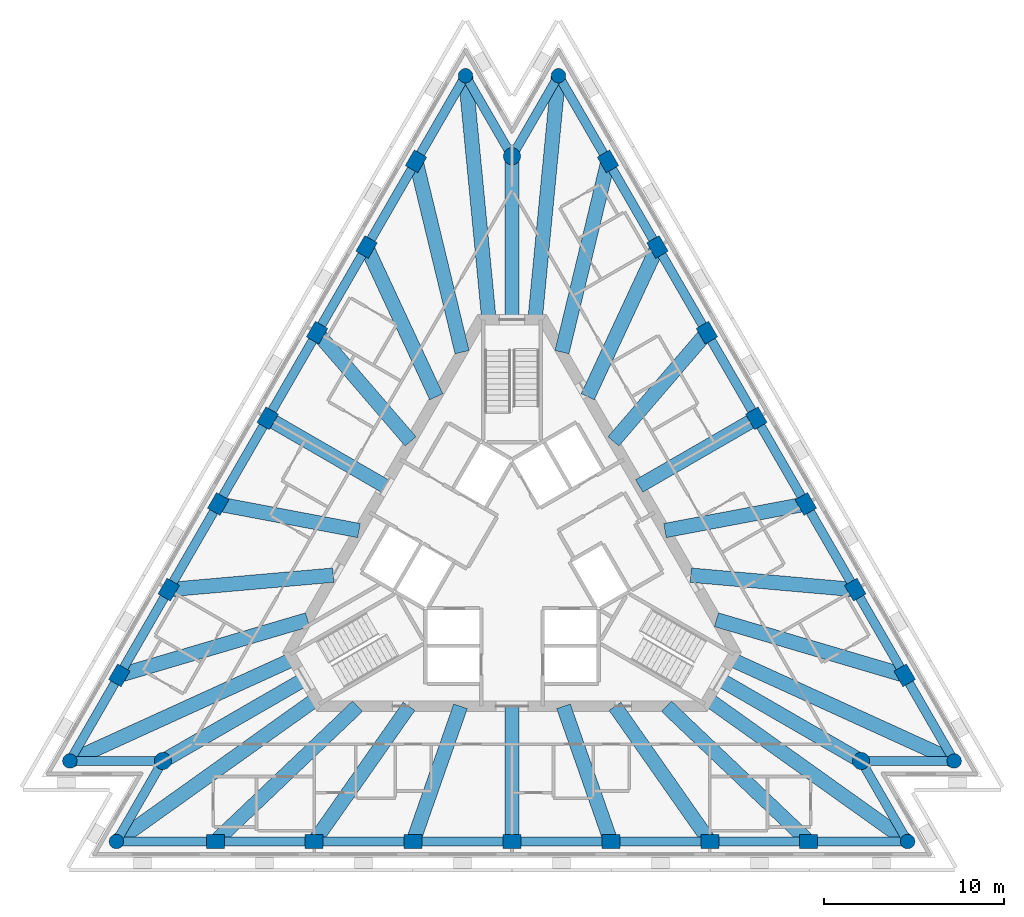
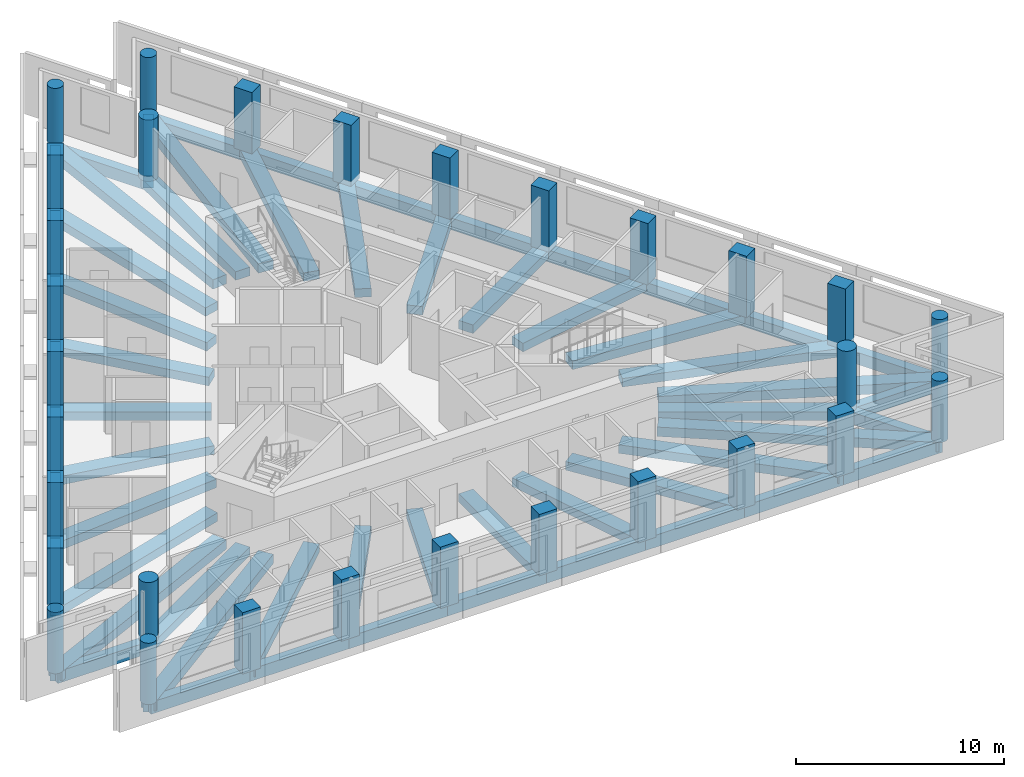
# One storey, part 1 of 9: 60 beams, 30 columns.
"""IFC4 building model written with IfcOpenShell, lengths in metres."""

from ifc_helpers import new_model, si_unit, direction, frame, origin, origin_2d, place, context, subcontext, project, spatial, rectangle, circle, extrude, material, material_profile, profile_set, type_object, element, save


model = new_model("IFC4")

# Units and contexts
model_context = context("Model", 3, precision=1e-05, world=origin(), true_north=direction((0.0, 1.0)))
body_context = subcontext(model_context, "Body", "Model", "MODEL_VIEW")
ifc_project = project(units=[si_unit("LENGTHUNIT", "METRE"), si_unit("AREAUNIT", "SQUARE_METRE"), si_unit("VOLUMEUNIT", "CUBIC_METRE"), si_unit("PLANEANGLEUNIT", "RADIAN"), si_unit("MASSUNIT", "GRAM", prefix="KILO")], contexts=[model_context])

# Site, building, storey
site_placement = place(None, origin())
site = spatial("IfcSite", under=ifc_project, at=site_placement, CompositionType="ELEMENT")
building_placement = place(site_placement, origin())
building = spatial("IfcBuilding", under=site, at=building_placement, Name="Triada Interchange Tower", CompositionType="ELEMENT")
storey_placement = place(building_placement, frame((0.0, 0.0, 286.300048828125)))
storey = spatial("IfcBuildingStorey", under=building, at=storey_placement, Name="L67", CompositionType="ELEMENT", Elevation=286.300048828125)

# Columns
ifc_material_1 = material(Name="Concrete C40/50", Category="concrete")
ifc_material_profile_1 = material_profile(ifc_material_1, rectangle(XDim=1.0, YDim=0.800048828125, at=origin_2d()), Name="RC 1000x800")
ifc_profile_set_1 = profile_set([ifc_material_profile_1], Name="Concrete C40/50")
column_type_1 = type_object("IfcColumnType", Name="Column D face RC 1000x800", PredefinedType="COLUMN", material=ifc_profile_set_1)
for number, where, z_axis, x_axis, name in (
    (1, (-5.324951171875, 22.0849609375, -0.300048828125), (0.0, 0.0, 1.0), (0.5, 0.866025403784, 0.0), "Column CD02 L67"),
    (2, (-8.069091796875, 17.3330078125, -0.300048828125), (0.0, 0.0, 1.0), (0.5, 0.866025403784, 0.0), "Column CD03 L67"),
    (3, (-10.81298828125, 12.580078125, -0.300048828125), (0.0, 0.0, 1.0), (0.5, 0.866025403784, 0.0), "Column CD04 L67"),
    (4, (-13.556884765625, 7.826904296875, -0.300048828125), (0.0, 0.0, 1.0), (0.5, 0.866025403784, 0.0), "Column CD05 L67"),
    (5, (-16.301025390625, 3.073974609375, -0.300048828125), (0.0, 0.0, 1.0), (0.5, 0.866025403784, 0.0), "Column CD06 L67"),
    (6, (-19.044921875, -1.677978515625, -0.300048828125), (0.0, 0.0, 1.0), (0.5, 0.866025403784, 0.0), "Column CD07 L67"),
    (7, (-21.7890625, -6.430908203125, -0.300048828125), (0.0, 0.0, 1.0), (0.5, 0.866025403784, 0.0), "Column CD08 L67"),
    (8, (-16.464111328125, -15.654052734375, -0.300048828125), (0.0, 0.0, 1.0), (1.0, 0.0, 0.0), "Column CD11 L67"),
    (9, (-10.97607421875, -15.654052734375, -0.300048828125), (0.0, 0.0, 1.0), (1.0, 0.0, 0.0), "Column CD12 L67"),
    (10, (-5.488037109375, -15.654052734375, -0.300048828125), (0.0, 0.0, 1.0), (1.0, 0.0, 0.0), "Column CD13 L67"),
    (11, (0.0, -15.654052734375, -0.300048828125), (0.0, 0.0, 1.0), (1.0, 0.0, 0.0), "Column CD14 L67"),
    (12, (5.488037109375, -15.654052734375, -0.300048828125), (0.0, 0.0, 1.0), (1.0, 0.0, 0.0), "Column CD15 L67"),
    (13, (10.97607421875, -15.654052734375, -0.300048828125), (0.0, 0.0, 1.0), (1.0, 0.0, 0.0), "Column CD16 L67"),
    (14, (16.464111328125, -15.654052734375, -0.300048828125), (0.0, 0.0, 1.0), (1.0, 0.0, 0.0), "Column CD17 L67"),
    (15, (21.7890625, -6.430908203125, -0.300048828125), (0.0, 0.0, 1.0), (-0.5, 0.866025403784, 0.0), "Column CD20 L67"),
    (16, (19.044921875, -1.677978515625, -0.300048828125), (0.0, 0.0, 1.0), (-0.5, 0.866025403784, 0.0), "Column CD21 L67"),
    (17, (16.301025390625, 3.073974609375, -0.300048828125), (0.0, 0.0, 1.0), (-0.5, 0.866025403784, 0.0), "Column CD22 L67"),
    (18, (13.556884765625, 7.826904296875, -0.300048828125), (0.0, 0.0, 1.0), (-0.5, 0.866025403784, 0.0), "Column CD23 L67"),
    (19, (10.81298828125, 12.580078125, -0.300048828125), (0.0, 0.0, 1.0), (-0.5, 0.866025403784, 0.0), "Column CD24 L67"),
    (20, (8.069091796875, 17.3330078125, -0.300048828125), (0.0, 0.0, 1.0), (-0.5, 0.866025403784, 0.0), "Column CD25 L67"),
    (21, (5.324951171875, 22.0849609375, -0.300048828125), (0.0, 0.0, 1.0), (-0.5, 0.866025403784, 0.0), "Column CD26 L67"),
):
    element("IfcColumn", number, at=place(storey_placement, frame(where, z_axis=z_axis, x_axis=x_axis)), inside=storey, type_object=column_type_1, Name=name, PredefinedType="COLUMN", context=body_context, shape_type="SweptSolid", body=[
        extrude(rectangle(XDim=1.0, YDim=0.800048828125, at=origin_2d()), origin(), (0.0, 0.0, 1.0), 3.60009765625),
    ])
ifc_material_profile_2 = material_profile(ifc_material_1, circle(Radius=0.39990234375, at=origin_2d()), Name="RC D800")
ifc_profile_set_2 = profile_set([ifc_material_profile_2], Name="Concrete C40/50")
column_type_2 = type_object("IfcColumnType", Name="End column D RC D800", PredefinedType="COLUMN", material=ifc_profile_set_2)
for number, where, z_axis, x_axis, name in (
    (22, (-2.5810546875, 26.837890625, -0.300048828125), (0.0, 0.0, 1.0), (0.5, 0.866025403784, 0.0), "Column CD01 L67"),
    (23, (-24.532958984375, -11.18408203125, -0.300048828125), (0.0, 0.0, 1.0), (0.5, 0.866025403784, 0.0), "Column CD09 L67"),
    (24, (-21.951904296875, -15.654052734375, -0.300048828125), (0.0, 0.0, 1.0), (1.0, 0.0, 0.0), "Column CD10 L67"),
    (25, (21.951904296875, -15.654052734375, -0.300048828125), (0.0, 0.0, 1.0), (1.0, 0.0, 0.0), "Column CD18 L67"),
    (26, (24.532958984375, -11.18408203125, -0.300048828125), (0.0, 0.0, 1.0), (-0.5, 0.866025403784, 0.0), "Column CD19 L67"),
    (27, (2.5810546875, 26.837890625, -0.300048828125), (0.0, 0.0, 1.0), (-0.5, 0.866025403784, 0.0), "Column CD27 L67"),
):
    element("IfcColumn", number, at=place(storey_placement, frame(where, z_axis=z_axis, x_axis=x_axis)), inside=storey, type_object=column_type_2, Name=name, PredefinedType="COLUMN", context=body_context, shape_type="SweptSolid", body=[
        extrude(circle(Radius=0.39990234375, at=origin_2d()), origin(), (0.0, 0.0, 1.0), 3.60009765625),
    ])
ifc_material_profile_3 = material_profile(ifc_material_1, circle(Radius=0.47509765625, at=origin_2d()), Name="RC D950")
ifc_profile_set_3 = profile_set([ifc_material_profile_3], Name="Concrete C40/50")
column_type_3 = type_object("IfcColumnType", Name="Mega column D RC D950", PredefinedType="COLUMN", material=ifc_profile_set_3)
for number, where, z_axis, x_axis, name in (
    (28, (0.0, 22.368896484375, -0.300048828125), (0.0, 0.0, 1.0), (1.0, 0.0, 0.0), "Column MD1 L67"),
    (29, (-19.3720703125, -11.18408203125, -0.300048828125), (0.0, 0.0, 1.0), (1.0, 0.0, 0.0), "Column MD2 L67"),
    (30, (19.3720703125, -11.18408203125, -0.300048828125), (0.0, 0.0, 1.0), (1.0, 0.0, 0.0), "Column MD3 L67"),
):
    element("IfcColumn", number, at=place(storey_placement, frame(where, z_axis=z_axis, x_axis=x_axis)), inside=storey, type_object=column_type_3, Name=name, PredefinedType="COLUMN", context=body_context, shape_type="SweptSolid", body=[
        extrude(circle(Radius=0.47509765625, at=origin_2d()), origin(), (0.0, 0.0, 1.0), 3.60009765625),
    ])

# Beams
ifc_material_2 = material(Name="Concrete C50/60", Category="concrete")
ifc_material_profile_4 = material_profile(ifc_material_2, rectangle(XDim=0.800048828125, YDim=0.5, at=origin_2d()), Name="RC 800x500")
ifc_profile_set_4 = profile_set([ifc_material_profile_4], Name="Concrete C50/60")
beam_type_1 = type_object("IfcBeamType", Name="Radial band beam D RC 800x500", PredefinedType="BEAM", material=ifc_profile_set_4)
beam_1_placement = place(storey_placement, frame((-5.324951171875, 22.0849609375, -0.550048828125), z_axis=(0.234425037452, -0.972134199489, 0.0), x_axis=(0.972134199489, 0.234425037452, 0.0)))
element("IfcBeam", 31, at=beam_1_placement, inside=storey, type_object=beam_type_1, Name="Radial band beam BD02 L67", PredefinedType="BEAM", context=body_context, shape_type="SweptSolid", body=[
    extrude(rectangle(XDim=0.800048828125, YDim=0.5, at=origin_2d()), origin(), (0.0, 0.0, 1.0), 10.890380859375),
])
beam_2_placement = place(storey_placement, frame((-8.069091796875, 17.3330078125, -0.550048828125), z_axis=(0.42204241395, -0.906576086618, 0.0), x_axis=(0.906576086618, 0.42204241395, 0.0)))
element("IfcBeam", 32, at=beam_2_placement, inside=storey, type_object=beam_type_1, Name="Radial band beam BD03 L67", PredefinedType="BEAM", context=body_context, shape_type="SweptSolid", body=[
    extrude(rectangle(XDim=0.800048828125, YDim=0.5, at=origin_2d()), origin(), (0.0, 0.0, 1.0), 9.165283203125),
])
beam_3_placement = place(storey_placement, frame((-10.81298828125, 12.580078125, -0.550048828125), z_axis=(0.651852544973, -0.758345738837, 0.0), x_axis=(0.758345738837, 0.651852544973, 0.0)))
element("IfcBeam", 33, at=beam_3_placement, inside=storey, type_object=beam_type_1, Name="Radial band beam BD04 L67", PredefinedType="BEAM", context=body_context, shape_type="SweptSolid", body=[
    extrude(rectangle(XDim=0.800048828125, YDim=0.5, at=origin_2d()), origin(), (0.0, 0.0, 1.0), 7.952880859375),
])
beam_4_placement = place(storey_placement, frame((-13.556884765625, 7.826904296875, -0.550048828125), z_axis=(0.86603226186, -0.499988121277, 0.0), x_axis=(0.499988121277, 0.86603226186, 0.0)))
element("IfcBeam", 34, at=beam_4_placement, inside=storey, type_object=beam_type_1, Name="Radial band beam BD05 L67", PredefinedType="BEAM", context=body_context, shape_type="SweptSolid", body=[
    extrude(rectangle(XDim=0.800048828125, YDim=0.5, at=origin_2d()), origin(), (0.0, 0.0, 1.0), 7.504150390625),
])
beam_5_placement = place(storey_placement, frame((-16.301025390625, 3.073974609375, -0.550048828125), z_axis=(0.982672101043, -0.185352479972, 0.0), x_axis=(0.185352479972, 0.982672101043, 0.0)))
element("IfcBeam", 35, at=beam_5_placement, inside=storey, type_object=beam_type_1, Name="Radial band beam BD06 L67", PredefinedType="BEAM", context=body_context, shape_type="SweptSolid", body=[
    extrude(rectangle(XDim=0.800048828125, YDim=0.5, at=origin_2d()), origin(), (0.0, 0.0, 1.0), 7.95166015625),
])
beam_6_placement = place(storey_placement, frame((-19.044921875, -1.677978515625, -0.550048828125), z_axis=(0.996145337016, 0.087718114098, 0.0), x_axis=(-0.087718114098, 0.996145337016, 0.0)))
element("IfcBeam", 36, at=beam_6_placement, inside=storey, type_object=beam_type_1, Name="Radial band beam BD07 L67", PredefinedType="BEAM", context=body_context, shape_type="SweptSolid", body=[
    extrude(rectangle(XDim=0.800048828125, YDim=0.5, at=origin_2d()), origin(), (0.0, 0.0, 1.0), 9.165283203125),
])
beam_7_placement = place(storey_placement, frame((-21.7890625, -6.430908203125, -0.550048828125), z_axis=(0.959093403857, 0.283089813802, 0.0), x_axis=(-0.283089813802, 0.959093403857, 0.0)))
element("IfcBeam", 37, at=beam_7_placement, inside=storey, type_object=beam_type_1, Name="Radial band beam BD08 L67", PredefinedType="BEAM", context=body_context, shape_type="SweptSolid", body=[
    extrude(rectangle(XDim=0.800048828125, YDim=0.5, at=origin_2d()), origin(), (0.0, 0.0, 1.0), 10.890625),
])
beam_8_placement = place(storey_placement, frame((-19.3720703125, -11.18408203125, -0.550048828125), z_axis=(0.866041235469, 0.499972577716, 0.0), x_axis=(-0.499972577716, 0.866041235469, 0.0)))
element("IfcBeam", 38, at=beam_8_placement, inside=storey, type_object=beam_type_1, Name="Radial band beam BD10 L67", PredefinedType="BEAM", context=body_context, shape_type="SweptSolid", body=[
    extrude(rectangle(XDim=0.800048828125, YDim=0.5, at=origin_2d()), origin(), (0.0, 0.0, 1.0), 9.06884765625),
])
beam_9_placement = place(storey_placement, frame((-16.464111328125, -15.654052734375, -0.550048828125), z_axis=(0.724693754634, 0.689071086314, 0.0), x_axis=(-0.689071086314, 0.724693754634, 0.0)))
element("IfcBeam", 39, at=beam_9_placement, inside=storey, type_object=beam_type_1, Name="Radial band beam BD12 L67", PredefinedType="BEAM", context=body_context, shape_type="SweptSolid", body=[
    extrude(rectangle(XDim=0.800048828125, YDim=0.5, at=origin_2d()), origin(), (0.0, 0.0, 1.0), 10.89013671875),
])
beam_10_placement = place(storey_placement, frame((-10.97607421875, -15.654052734375, -0.550048828125), z_axis=(0.574125420819, 0.818767366942, 0.0), x_axis=(-0.818767366942, 0.574125420819, 0.0)))
element("IfcBeam", 40, at=beam_10_placement, inside=storey, type_object=beam_type_1, Name="Radial band beam BD13 L67", PredefinedType="BEAM", context=body_context, shape_type="SweptSolid", body=[
    extrude(rectangle(XDim=0.800048828125, YDim=0.5, at=origin_2d()), origin(), (0.0, 0.0, 1.0), 9.165283203125),
])
beam_11_placement = place(storey_placement, frame((-5.488037109375, -15.654052734375, -0.550048828125), z_axis=(0.330871413108, 0.943675849001, 0.0), x_axis=(-0.943675849001, 0.330871413108, 0.0)))
element("IfcBeam", 41, at=beam_11_placement, inside=storey, type_object=beam_type_1, Name="Radial band beam BD14 L67", PredefinedType="BEAM", context=body_context, shape_type="SweptSolid", body=[
    extrude(rectangle(XDim=0.800048828125, YDim=0.5, at=origin_2d()), origin(), (0.0, 0.0, 1.0), 7.9521484375),
])
beam_12_placement = place(storey_placement, frame((0.0, -15.654052734375, -0.550048828125), z_axis=(0.0, 1.0, 0.0), x_axis=(-1.0, 0.0, 0.0)))
element("IfcBeam", 42, at=beam_12_placement, inside=storey, type_object=beam_type_1, Name="Radial band beam BD15 L67", PredefinedType="BEAM", context=body_context, shape_type="SweptSolid", body=[
    extrude(rectangle(XDim=0.800048828125, YDim=0.5, at=origin_2d()), origin(), (0.0, 0.0, 1.0), 7.504150390625),
])
beam_13_placement = place(storey_placement, frame((5.488037109375, -15.654052734375, -0.550048828125), z_axis=(-0.330871413108, 0.943675849001, 0.0), x_axis=(-0.943675849001, -0.330871413108, 0.0)))
element("IfcBeam", 43, at=beam_13_placement, inside=storey, type_object=beam_type_1, Name="Radial band beam BD16 L67", PredefinedType="BEAM", context=body_context, shape_type="SweptSolid", body=[
    extrude(rectangle(XDim=0.800048828125, YDim=0.5, at=origin_2d()), origin(), (0.0, 0.0, 1.0), 7.9521484375),
])
beam_14_placement = place(storey_placement, frame((10.97607421875, -15.654052734375, -0.550048828125), z_axis=(-0.574125420819, 0.818767366942, 0.0), x_axis=(-0.818767366942, -0.574125420819, 0.0)))
element("IfcBeam", 44, at=beam_14_placement, inside=storey, type_object=beam_type_1, Name="Radial band beam BD17 L67", PredefinedType="BEAM", context=body_context, shape_type="SweptSolid", body=[
    extrude(rectangle(XDim=0.800048828125, YDim=0.5, at=origin_2d()), origin(), (0.0, 0.0, 1.0), 9.165283203125),
])
beam_15_placement = place(storey_placement, frame((16.464111328125, -15.654052734375, -0.550048828125), z_axis=(-0.724693754634, 0.689071086314, 0.0), x_axis=(-0.689071086314, -0.724693754634, 0.0)))
element("IfcBeam", 45, at=beam_15_placement, inside=storey, type_object=beam_type_1, Name="Radial band beam BD18 L67", PredefinedType="BEAM", context=body_context, shape_type="SweptSolid", body=[
    extrude(rectangle(XDim=0.800048828125, YDim=0.5, at=origin_2d()), origin(), (0.0, 0.0, 1.0), 10.89013671875),
])
beam_16_placement = place(storey_placement, frame((19.3720703125, -11.18408203125, -0.550048828125), z_axis=(-0.866041235469, 0.499972577716, 0.0), x_axis=(-0.499972577716, -0.866041235469, 0.0)))
element("IfcBeam", 46, at=beam_16_placement, inside=storey, type_object=beam_type_1, Name="Radial band beam BD20 L67", PredefinedType="BEAM", context=body_context, shape_type="SweptSolid", body=[
    extrude(rectangle(XDim=0.800048828125, YDim=0.5, at=origin_2d()), origin(), (0.0, 0.0, 1.0), 9.06884765625),
])
beam_17_placement = place(storey_placement, frame((21.7890625, -6.430908203125, -0.550048828125), z_axis=(-0.959093403857, 0.283089813802, 0.0), x_axis=(-0.283089813802, -0.959093403857, 0.0)))
element("IfcBeam", 47, at=beam_17_placement, inside=storey, type_object=beam_type_1, Name="Radial band beam BD22 L67", PredefinedType="BEAM", context=body_context, shape_type="SweptSolid", body=[
    extrude(rectangle(XDim=0.800048828125, YDim=0.5, at=origin_2d()), origin(), (0.0, 0.0, 1.0), 10.890625),
])
beam_18_placement = place(storey_placement, frame((19.044921875, -1.677978515625, -0.550048828125), z_axis=(-0.996145337016, 0.087718114098, 0.0), x_axis=(-0.087718114098, -0.996145337016, 0.0)))
element("IfcBeam", 48, at=beam_18_placement, inside=storey, type_object=beam_type_1, Name="Radial band beam BD23 L67", PredefinedType="BEAM", context=body_context, shape_type="SweptSolid", body=[
    extrude(rectangle(XDim=0.800048828125, YDim=0.5, at=origin_2d()), origin(), (0.0, 0.0, 1.0), 9.165283203125),
])
beam_19_placement = place(storey_placement, frame((16.301025390625, 3.073974609375, -0.550048828125), z_axis=(-0.982672101043, -0.185352479972, 0.0), x_axis=(0.185352479972, -0.982672101043, 0.0)))
element("IfcBeam", 49, at=beam_19_placement, inside=storey, type_object=beam_type_1, Name="Radial band beam BD24 L67", PredefinedType="BEAM", context=body_context, shape_type="SweptSolid", body=[
    extrude(rectangle(XDim=0.800048828125, YDim=0.5, at=origin_2d()), origin(), (0.0, 0.0, 1.0), 7.95166015625),
])
beam_20_placement = place(storey_placement, frame((13.556884765625, 7.826904296875, -0.550048828125), z_axis=(-0.86603226186, -0.499988121277, 0.0), x_axis=(0.499988121277, -0.86603226186, 0.0)))
element("IfcBeam", 50, at=beam_20_placement, inside=storey, type_object=beam_type_1, Name="Radial band beam BD25 L67", PredefinedType="BEAM", context=body_context, shape_type="SweptSolid", body=[
    extrude(rectangle(XDim=0.800048828125, YDim=0.5, at=origin_2d()), origin(), (0.0, 0.0, 1.0), 7.504150390625),
])
beam_21_placement = place(storey_placement, frame((10.81298828125, 12.580078125, -0.550048828125), z_axis=(-0.651852544973, -0.758345738837, 0.0), x_axis=(0.758345738837, -0.651852544973, 0.0)))
element("IfcBeam", 51, at=beam_21_placement, inside=storey, type_object=beam_type_1, Name="Radial band beam BD26 L67", PredefinedType="BEAM", context=body_context, shape_type="SweptSolid", body=[
    extrude(rectangle(XDim=0.800048828125, YDim=0.5, at=origin_2d()), origin(), (0.0, 0.0, 1.0), 7.952880859375),
])
beam_22_placement = place(storey_placement, frame((8.069091796875, 17.3330078125, -0.550048828125), z_axis=(-0.42204241395, -0.906576086618, 0.0), x_axis=(0.906576086618, -0.42204241395, 0.0)))
element("IfcBeam", 52, at=beam_22_placement, inside=storey, type_object=beam_type_1, Name="Radial band beam BD27 L67", PredefinedType="BEAM", context=body_context, shape_type="SweptSolid", body=[
    extrude(rectangle(XDim=0.800048828125, YDim=0.5, at=origin_2d()), origin(), (0.0, 0.0, 1.0), 9.165283203125),
])
beam_23_placement = place(storey_placement, frame((5.324951171875, 22.0849609375, -0.550048828125), z_axis=(-0.234425037452, -0.972134199489, 0.0), x_axis=(0.972134199489, -0.234425037452, 0.0)))
element("IfcBeam", 53, at=beam_23_placement, inside=storey, type_object=beam_type_1, Name="Radial band beam BD28 L67", PredefinedType="BEAM", context=body_context, shape_type="SweptSolid", body=[
    extrude(rectangle(XDim=0.800048828125, YDim=0.5, at=origin_2d()), origin(), (0.0, 0.0, 1.0), 10.890380859375),
])
beam_24_placement = place(storey_placement, frame((0.0, 22.368896484375, -0.550048828125), z_axis=(0.0, -1.0, 0.0), x_axis=(1.0, 0.0, 0.0)))
element("IfcBeam", 54, at=beam_24_placement, inside=storey, type_object=beam_type_1, Name="Radial band beam BD30 L67", PredefinedType="BEAM", context=body_context, shape_type="SweptSolid", body=[
    extrude(rectangle(XDim=0.800048828125, YDim=0.5, at=origin_2d()), origin(), (0.0, 0.0, 1.0), 9.06884765625),
])
ifc_material_profile_5 = material_profile(ifc_material_2, rectangle(XDim=0.800048828125, YDim=0.550048828125, at=origin_2d()), Name="RC 800x550")
ifc_profile_set_5 = profile_set([ifc_material_profile_5], Name="Concrete C50/60")
beam_type_2 = type_object("IfcBeamType", Name="Radial band beam D RC 800x550", PredefinedType="BEAM", material=ifc_profile_set_5)
beam_25_placement = place(storey_placement, frame((-2.5810546875, 26.837890625, -0.574951171875), z_axis=(0.095733271747, -0.99540702262, 0.0), x_axis=(0.99540702262, 0.095733271747, 0.0)))
element("IfcBeam", 55, at=beam_25_placement, inside=storey, type_object=beam_type_2, Name="Radial band beam BD01 L67", PredefinedType="BEAM", context=body_context, shape_type="SweptSolid", body=[
    extrude(rectangle(XDim=0.800048828125, YDim=0.550048828125, at=origin_2d()), origin(), (0.0, 0.0, 1.0), 13.600341796875),
])
beam_26_placement = place(storey_placement, frame((-24.532958984375, -11.18408203125, -0.574951171875), z_axis=(0.909892520451, 0.414844068569, 0.0), x_axis=(-0.414844068569, 0.909892520451, 0.0)))
element("IfcBeam", 56, at=beam_26_placement, inside=storey, type_object=beam_type_2, Name="Radial band beam BD09 L67", PredefinedType="BEAM", context=body_context, shape_type="SweptSolid", body=[
    extrude(rectangle(XDim=0.800048828125, YDim=0.550048828125, at=origin_2d()), origin(), (0.0, 0.0, 1.0), 13.6005859375),
])
for number, where, z_axis, x_axis, name in (
    (57, (-21.951904296875, -15.654052734375, -0.574951171875), (0.814195346708, 0.580591024214, 0.0), (-0.580591024214, 0.814195346708, 0.0), "Radial band beam BD11 L67"),
    (58, (21.951904296875, -15.654052734375, -0.574951171875), (-0.814195346708, 0.580591024214, 0.0), (-0.580591024214, -0.814195346708, 0.0), "Radial band beam BD19 L67"),
):
    element("IfcBeam", number, at=place(storey_placement, frame(where, z_axis=z_axis, x_axis=x_axis)), inside=storey, type_object=beam_type_2, Name=name, PredefinedType="BEAM", context=body_context, shape_type="SweptSolid", body=[
        extrude(rectangle(XDim=0.800048828125, YDim=0.550048828125, at=origin_2d()), origin(), (0.0, 0.0, 1.0), 13.599853515625),
    ])
beam_27_placement = place(storey_placement, frame((24.532958984375, -11.18408203125, -0.574951171875), z_axis=(-0.909892520451, 0.414844068569, 0.0), x_axis=(-0.414844068569, -0.909892520451, 0.0)))
element("IfcBeam", 59, at=beam_27_placement, inside=storey, type_object=beam_type_2, Name="Radial band beam BD21 L67", PredefinedType="BEAM", context=body_context, shape_type="SweptSolid", body=[
    extrude(rectangle(XDim=0.800048828125, YDim=0.550048828125, at=origin_2d()), origin(), (0.0, 0.0, 1.0), 13.6005859375),
])
beam_28_placement = place(storey_placement, frame((2.5810546875, 26.837890625, -0.574951171875), z_axis=(-0.095733271747, -0.99540702262, 0.0), x_axis=(0.99540702262, -0.095733271747, 0.0)))
element("IfcBeam", 60, at=beam_28_placement, inside=storey, type_object=beam_type_2, Name="Radial band beam BD29 L67", PredefinedType="BEAM", context=body_context, shape_type="SweptSolid", body=[
    extrude(rectangle(XDim=0.800048828125, YDim=0.550048828125, at=origin_2d()), origin(), (0.0, 0.0, 1.0), 13.600341796875),
])
ifc_material_profile_6 = material_profile(ifc_material_2, rectangle(XDim=0.5, YDim=0.699951171875, at=origin_2d()), Name="RC 500x700")
ifc_profile_set_6 = profile_set([ifc_material_profile_6], Name="Concrete C50/60")
beam_type_3 = type_object("IfcBeamType", Name="Spandrel beam D RC 500x700", PredefinedType="BEAM", material=ifc_profile_set_6)
beam_29_placement = place(storey_placement, frame((-2.5810546875, 26.837890625, -0.650146484375), z_axis=(-0.499971472108, -0.866041873744, 0.0), x_axis=(0.866041873744, -0.499971472108, 0.0)))
element("IfcBeam", 61, at=beam_29_placement, inside=storey, type_object=beam_type_3, Name="Spandrel beam ED01 L67", PredefinedType="BEAM", context=body_context, shape_type="SweptSolid", body=[
    extrude(rectangle(XDim=0.5, YDim=0.699951171875, at=origin_2d()), origin(), (0.0, 0.0, 1.0), 5.488037109375),
])
beam_30_placement = place(storey_placement, frame((-5.324951171875, 22.0849609375, -0.650146484375), z_axis=(-0.500081895979, -0.865978115955, 0.0), x_axis=(0.865978115955, -0.500081895979, 0.0)))
element("IfcBeam", 62, at=beam_30_placement, inside=storey, type_object=beam_type_3, Name="Spandrel beam ED02 L67", PredefinedType="BEAM", context=body_context, shape_type="SweptSolid", body=[
    extrude(rectangle(XDim=0.5, YDim=0.699951171875, at=origin_2d()), origin(), (0.0, 0.0, 1.0), 5.4873046875),
])
beam_31_placement = place(storey_placement, frame((-8.069091796875, 17.3330078125, -0.650146484375), z_axis=(-0.499971472108, -0.866041873744, 0.0), x_axis=(0.866041873744, -0.499971472108, 0.0)))
element("IfcBeam", 63, at=beam_31_placement, inside=storey, type_object=beam_type_3, Name="Spandrel beam ED03 L67", PredefinedType="BEAM", context=body_context, shape_type="SweptSolid", body=[
    extrude(rectangle(XDim=0.5, YDim=0.699951171875, at=origin_2d()), origin(), (0.0, 0.0, 1.0), 5.488037109375),
])
for number, where, z_axis, x_axis, name in (
    (64, (-10.81298828125, 12.580078125, -0.650146484375), (-0.499952210714, -0.866052993184, 0.0), (0.866052993184, -0.499952210714, 0.0), "Spandrel beam ED04 L67"),
    (65, (-13.556884765625, 7.826904296875, -0.650146484375), (-0.500004836318, -0.866022611517, 0.0), (0.866022611517, -0.500004836318, 0.0), "Spandrel beam ED05 L67"),
):
    element("IfcBeam", number, at=place(storey_placement, frame(where, z_axis=z_axis, x_axis=x_axis)), inside=storey, type_object=beam_type_3, Name=name, PredefinedType="BEAM", context=body_context, shape_type="SweptSolid", body=[
        extrude(rectangle(XDim=0.5, YDim=0.699951171875, at=origin_2d()), origin(), (0.0, 0.0, 1.0), 5.48828125),
    ])
beam_32_placement = place(storey_placement, frame((-16.301025390625, 3.073974609375, -0.650146484375), z_axis=(-0.500048530056, -0.865997383131, 0.0), x_axis=(0.865997383131, -0.500048530056, 0.0)))
element("IfcBeam", 66, at=beam_32_placement, inside=storey, type_object=beam_type_3, Name="Spandrel beam ED06 L67", PredefinedType="BEAM", context=body_context, shape_type="SweptSolid", body=[
    extrude(rectangle(XDim=0.5, YDim=0.699951171875, at=origin_2d()), origin(), (0.0, 0.0, 1.0), 5.4873046875),
])
for number, where, z_axis, x_axis, name in (
    (67, (-19.044921875, -1.677978515625, -0.650146484375), (-0.500004836318, -0.866022611517, 0.0), (0.866022611517, -0.500004836318, 0.0), "Spandrel beam ED07 L67"),
    (68, (-21.7890625, -6.430908203125, -0.650146484375), (-0.499952210714, -0.866052993184, 0.0), (0.866052993184, -0.499952210714, 0.0), "Spandrel beam ED08 L67"),
):
    element("IfcBeam", number, at=place(storey_placement, frame(where, z_axis=z_axis, x_axis=x_axis)), inside=storey, type_object=beam_type_3, Name=name, PredefinedType="BEAM", context=body_context, shape_type="SweptSolid", body=[
        extrude(rectangle(XDim=0.5, YDim=0.699951171875, at=origin_2d()), origin(), (0.0, 0.0, 1.0), 5.48828125),
    ])
beam_33_placement = place(storey_placement, frame((-24.532958984375, -11.18408203125, -0.650146484375), z_axis=(1.0, 0.0, 0.0), x_axis=(0.0, 1.0, 0.0)))
element("IfcBeam", 69, at=beam_33_placement, inside=storey, type_object=beam_type_3, Name="Spandrel beam ED09 L67", PredefinedType="BEAM", context=body_context, shape_type="SweptSolid", body=[
    extrude(rectangle(XDim=0.5, YDim=0.699951171875, at=origin_2d()), origin(), (0.0, 0.0, 1.0), 5.160888671875),
])
beam_34_placement = place(storey_placement, frame((-19.3720703125, -11.18408203125, -0.650146484375), z_axis=(-0.499868508103, -0.866101307358, 0.0), x_axis=(0.866101307358, -0.499868508103, 0.0)))
element("IfcBeam", 70, at=beam_34_placement, inside=storey, type_object=beam_type_3, Name="Spandrel beam ED10 L67", PredefinedType="BEAM", context=body_context, shape_type="SweptSolid", body=[
    extrude(rectangle(XDim=0.5, YDim=0.699951171875, at=origin_2d()), origin(), (0.0, 0.0, 1.0), 5.1611328125),
])
beam_35_placement = place(storey_placement, frame((-21.951904296875, -15.654052734375, -0.650146484375), z_axis=(1.0, 0.0, 0.0), x_axis=(0.0, 1.0, 0.0)))
element("IfcBeam", 71, at=beam_35_placement, inside=storey, type_object=beam_type_3, Name="Spandrel beam ED11 L67", PredefinedType="BEAM", context=body_context, shape_type="SweptSolid", body=[
    extrude(rectangle(XDim=0.5, YDim=0.699951171875, at=origin_2d()), origin(), (0.0, 0.0, 1.0), 5.48779296875),
])
for number, where, z_axis, x_axis, name in (
    (72, (-16.464111328125, -15.654052734375, -0.650146484375), (1.0, 0.0, 0.0), (0.0, 1.0, 0.0), "Spandrel beam ED12 L67"),
    (73, (-10.97607421875, -15.654052734375, -0.650146484375), (1.0, 0.0, 0.0), (0.0, 1.0, 0.0), "Spandrel beam ED13 L67"),
    (74, (-5.488037109375, -15.654052734375, -0.650146484375), (1.0, 0.0, 0.0), (0.0, 1.0, 0.0), "Spandrel beam ED14 L67"),
    (75, (0.0, -15.654052734375, -0.650146484375), (1.0, 0.0, 0.0), (0.0, 1.0, 0.0), "Spandrel beam ED15 L67"),
    (76, (5.488037109375, -15.654052734375, -0.650146484375), (1.0, 0.0, 0.0), (0.0, 1.0, 0.0), "Spandrel beam ED16 L67"),
    (77, (10.97607421875, -15.654052734375, -0.650146484375), (1.0, 0.0, 0.0), (0.0, 1.0, 0.0), "Spandrel beam ED17 L67"),
):
    element("IfcBeam", number, at=place(storey_placement, frame(where, z_axis=z_axis, x_axis=x_axis)), inside=storey, type_object=beam_type_3, Name=name, PredefinedType="BEAM", context=body_context, shape_type="SweptSolid", body=[
        extrude(rectangle(XDim=0.5, YDim=0.699951171875, at=origin_2d()), origin(), (0.0, 0.0, 1.0), 5.488037109375),
    ])
beam_36_placement = place(storey_placement, frame((16.464111328125, -15.654052734375, -0.650146484375), z_axis=(1.0, 0.0, 0.0), x_axis=(0.0, 1.0, 0.0)))
element("IfcBeam", 78, at=beam_36_placement, inside=storey, type_object=beam_type_3, Name="Spandrel beam ED18 L67", PredefinedType="BEAM", context=body_context, shape_type="SweptSolid", body=[
    extrude(rectangle(XDim=0.5, YDim=0.699951171875, at=origin_2d()), origin(), (0.0, 0.0, 1.0), 5.48779296875),
])
beam_37_placement = place(storey_placement, frame((21.951904296875, -15.654052734375, -0.650146484375), z_axis=(-0.499868508103, 0.866101307358, 0.0), x_axis=(-0.866101307358, -0.499868508103, 0.0)))
element("IfcBeam", 79, at=beam_37_placement, inside=storey, type_object=beam_type_3, Name="Spandrel beam ED19 L67", PredefinedType="BEAM", context=body_context, shape_type="SweptSolid", body=[
    extrude(rectangle(XDim=0.5, YDim=0.699951171875, at=origin_2d()), origin(), (0.0, 0.0, 1.0), 5.1611328125),
])
beam_38_placement = place(storey_placement, frame((19.3720703125, -11.18408203125, -0.650146484375), z_axis=(1.0, 0.0, 0.0), x_axis=(0.0, 1.0, 0.0)))
element("IfcBeam", 80, at=beam_38_placement, inside=storey, type_object=beam_type_3, Name="Spandrel beam ED20 L67", PredefinedType="BEAM", context=body_context, shape_type="SweptSolid", body=[
    extrude(rectangle(XDim=0.5, YDim=0.699951171875, at=origin_2d()), origin(), (0.0, 0.0, 1.0), 5.160888671875),
])
for number, where, z_axis, x_axis, name in (
    (81, (24.532958984375, -11.18408203125, -0.650146484375), (-0.499952210714, 0.866052993184, 0.0), (-0.866052993184, -0.499952210714, 0.0), "Spandrel beam ED21 L67"),
    (82, (21.7890625, -6.430908203125, -0.650146484375), (-0.500004836318, 0.866022611517, 0.0), (-0.866022611517, -0.500004836318, 0.0), "Spandrel beam ED22 L67"),
):
    element("IfcBeam", number, at=place(storey_placement, frame(where, z_axis=z_axis, x_axis=x_axis)), inside=storey, type_object=beam_type_3, Name=name, PredefinedType="BEAM", context=body_context, shape_type="SweptSolid", body=[
        extrude(rectangle(XDim=0.5, YDim=0.699951171875, at=origin_2d()), origin(), (0.0, 0.0, 1.0), 5.48828125),
    ])
beam_39_placement = place(storey_placement, frame((19.044921875, -1.677978515625, -0.650146484375), z_axis=(-0.500048530056, 0.865997383131, 0.0), x_axis=(-0.865997383131, -0.500048530056, 0.0)))
element("IfcBeam", 83, at=beam_39_placement, inside=storey, type_object=beam_type_3, Name="Spandrel beam ED23 L67", PredefinedType="BEAM", context=body_context, shape_type="SweptSolid", body=[
    extrude(rectangle(XDim=0.5, YDim=0.699951171875, at=origin_2d()), origin(), (0.0, 0.0, 1.0), 5.4873046875),
])
for number, where, z_axis, x_axis, name in (
    (84, (16.301025390625, 3.073974609375, -0.650146484375), (-0.500004836318, 0.866022611517, 0.0), (-0.866022611517, -0.500004836318, 0.0), "Spandrel beam ED24 L67"),
    (85, (13.556884765625, 7.826904296875, -0.650146484375), (-0.499952210714, 0.866052993184, 0.0), (-0.866052993184, -0.499952210714, 0.0), "Spandrel beam ED25 L67"),
):
    element("IfcBeam", number, at=place(storey_placement, frame(where, z_axis=z_axis, x_axis=x_axis)), inside=storey, type_object=beam_type_3, Name=name, PredefinedType="BEAM", context=body_context, shape_type="SweptSolid", body=[
        extrude(rectangle(XDim=0.5, YDim=0.699951171875, at=origin_2d()), origin(), (0.0, 0.0, 1.0), 5.48828125),
    ])
beam_40_placement = place(storey_placement, frame((10.81298828125, 12.580078125, -0.650146484375), z_axis=(-0.499971472108, 0.866041873744, 0.0), x_axis=(-0.866041873744, -0.499971472108, 0.0)))
element("IfcBeam", 86, at=beam_40_placement, inside=storey, type_object=beam_type_3, Name="Spandrel beam ED26 L67", PredefinedType="BEAM", context=body_context, shape_type="SweptSolid", body=[
    extrude(rectangle(XDim=0.5, YDim=0.699951171875, at=origin_2d()), origin(), (0.0, 0.0, 1.0), 5.488037109375),
])
beam_41_placement = place(storey_placement, frame((8.069091796875, 17.3330078125, -0.650146484375), z_axis=(-0.500081895979, 0.865978115955, 0.0), x_axis=(-0.865978115955, -0.500081895979, 0.0)))
element("IfcBeam", 87, at=beam_41_placement, inside=storey, type_object=beam_type_3, Name="Spandrel beam ED27 L67", PredefinedType="BEAM", context=body_context, shape_type="SweptSolid", body=[
    extrude(rectangle(XDim=0.5, YDim=0.699951171875, at=origin_2d()), origin(), (0.0, 0.0, 1.0), 5.4873046875),
])
beam_42_placement = place(storey_placement, frame((5.324951171875, 22.0849609375, -0.650146484375), z_axis=(-0.499971472108, 0.866041873744, 0.0), x_axis=(-0.866041873744, -0.499971472108, 0.0)))
element("IfcBeam", 88, at=beam_42_placement, inside=storey, type_object=beam_type_3, Name="Spandrel beam ED28 L67", PredefinedType="BEAM", context=body_context, shape_type="SweptSolid", body=[
    extrude(rectangle(XDim=0.5, YDim=0.699951171875, at=origin_2d()), origin(), (0.0, 0.0, 1.0), 5.488037109375),
])
for number, where, z_axis, x_axis, name in (
    (89, (2.5810546875, 26.837890625, -0.650146484375), (-0.500127840884, -0.865951582234, 0.0), (0.865951582234, -0.500127840884, 0.0), "Spandrel beam ED29 L67"),
    (90, (0.0, 22.368896484375, -0.650146484375), (-0.500127840884, 0.865951582234, 0.0), (-0.865951582234, -0.500127840884, 0.0), "Spandrel beam ED30 L67"),
):
    element("IfcBeam", number, at=place(storey_placement, frame(where, z_axis=z_axis, x_axis=x_axis)), inside=storey, type_object=beam_type_3, Name=name, PredefinedType="BEAM", context=body_context, shape_type="SweptSolid", body=[
        extrude(rectangle(XDim=0.5, YDim=0.699951171875, at=origin_2d()), origin(), (0.0, 0.0, 1.0), 5.160888671875),
    ])

save(model, "model.ifc")
